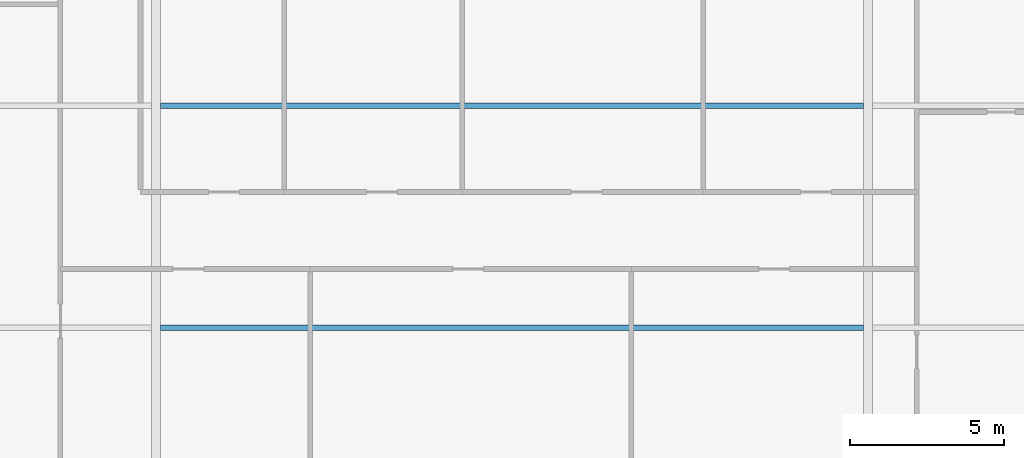
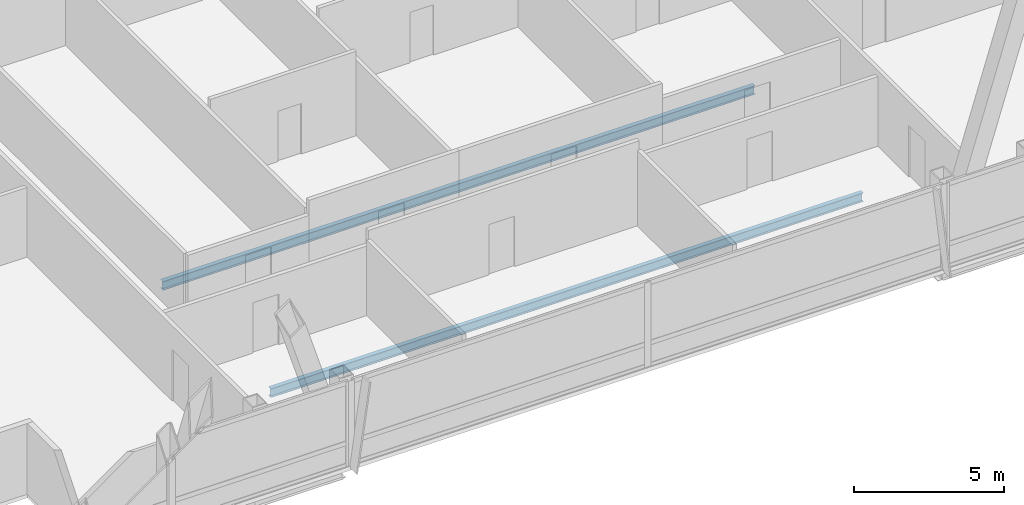
# One storey, part 8 of 29: 2 beams.
"""IFC4 building model written with IfcOpenShell, lengths in metres."""

from ifc_helpers import new_model, si_unit, direction, frame, origin, origin_2d, place, context, subcontext, project, spatial, i_section, extrude, material, material_profile, profile_set, type_object, element, save


model = new_model("IFC4")

# Units and contexts
model_context = context("Model", 3, precision=1e-05, world=origin(), true_north=direction((0.0, 1.0)))
body_context = subcontext(model_context, "Body", "Model", "MODEL_VIEW")
ifc_project = project(units=[si_unit("LENGTHUNIT", "METRE"), si_unit("AREAUNIT", "SQUARE_METRE"), si_unit("VOLUMEUNIT", "CUBIC_METRE"), si_unit("PLANEANGLEUNIT", "RADIAN"), si_unit("MASSUNIT", "GRAM", prefix="KILO")], contexts=[model_context])

# Site, building, storey
site_placement = place(None, origin())
site = spatial("IfcSite", under=ifc_project, at=site_placement, CompositionType="ELEMENT")
building_placement = place(site_placement, origin())
building = spatial("IfcBuilding", under=site, at=building_placement, Name="Khoronbel Lancet Exchange", CompositionType="ELEMENT")
storey_placement = place(building_placement, frame((0.0, 0.0, 314.60009765625)))
storey = spatial("IfcBuildingStorey", under=building, at=storey_placement, Name="L81", CompositionType="ELEMENT", Elevation=314.60009765625)

# Beams
ifc_material = material(Name="Steel S355", Category="steel")
ifc_material_profile = material_profile(ifc_material, i_section(OverallWidth=0.169921875, OverallDepth=0.360107421875, WebThickness=0.008056640625, FlangeThickness=0.0126953125, at=origin_2d()), Name="IPE 360")
ifc_profile_set = profile_set([ifc_material_profile], Name="Steel S355")
beam_type = type_object("IfcBeamType", Name="BM-BJ6", PredefinedType="JOIST", material=ifc_profile_set)
for number, where, z_axis, x_axis, name in (
    (1, (25.050048828125, 15.199951171875, -0.340087890625), (1.0, 0.0, 0.0), (0.0, 1.0, 0.0), "Level L81 secondary composite joist J02"),
    (2, (25.050048828125, 22.39990234375, -0.340087890625), (1.0, 0.0, 0.0), (0.0, 1.0, 0.0), "Level L81 secondary composite joist J05"),
):
    element("IfcBeam", number, at=place(storey_placement, frame(where, z_axis=z_axis, x_axis=x_axis)), inside=storey, type_object=beam_type, Name=name, PredefinedType="JOIST", context=body_context, shape_type="SweptSolid", body=[
        extrude(i_section(OverallWidth=0.169921875, OverallDepth=0.360107421875, WebThickness=0.008056640625, FlangeThickness=0.0126953125, at=origin_2d()), origin(), (0.0, 0.0, 1.0), 22.800048828125),
    ])

save(model, "model.ifc")
